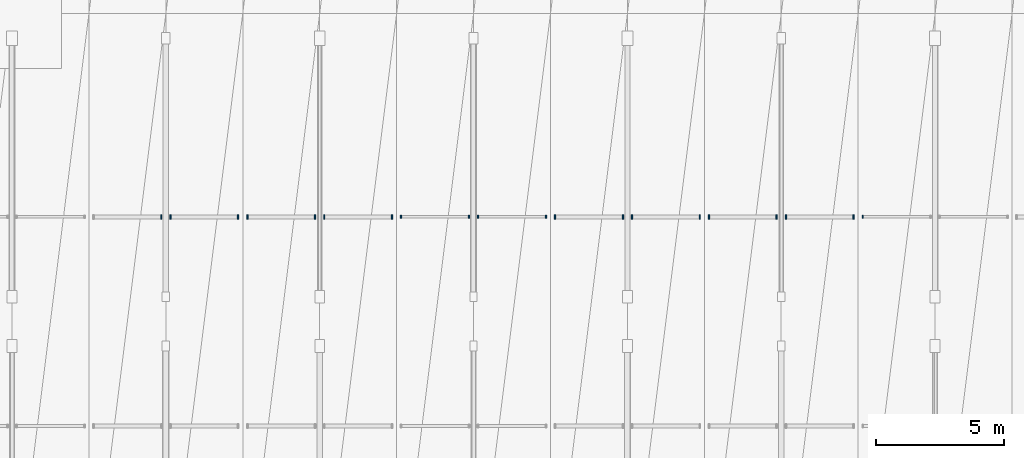
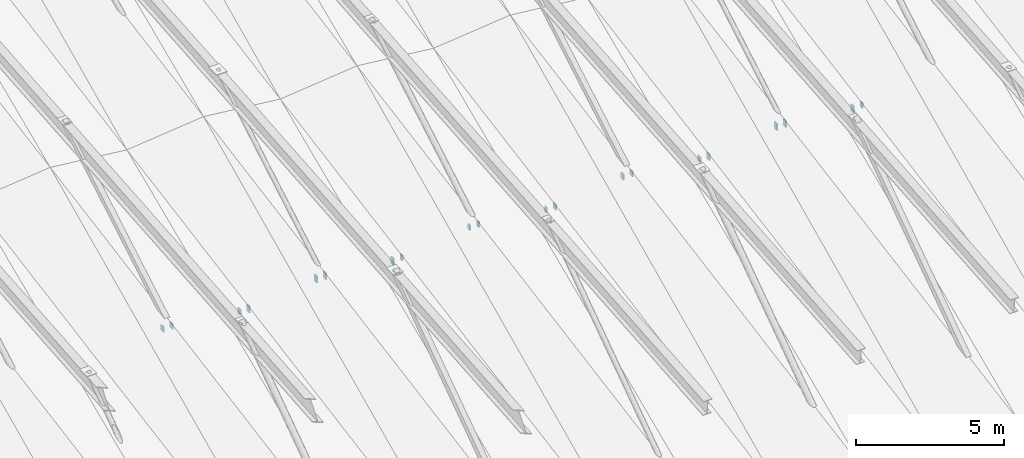
# One storey, part 38 of 52: 20 discrete accessories.
"""IFC4 building model written with IfcOpenShell, lengths in metres."""

from ifc_helpers import new_model, si_unit, direction, frame, origin, origin_2d, place, context, subcontext, project, spatial, rectangle, extrude, material, layer, layer_set, type_object, element, save


model = new_model("IFC4")

# Units and contexts
model_context = context("Model", 3, precision=1e-05, world=origin(), true_north=direction((0.0, 1.0)))
body_context = subcontext(model_context, "Body", "Model", "MODEL_VIEW")
ifc_project = project(units=[si_unit("LENGTHUNIT", "METRE"), si_unit("AREAUNIT", "SQUARE_METRE"), si_unit("VOLUMEUNIT", "CUBIC_METRE"), si_unit("PLANEANGLEUNIT", "RADIAN"), si_unit("MASSUNIT", "GRAM", prefix="KILO")], contexts=[model_context])

# Site, building, storey
site_placement = place(None, origin())
site = spatial("IfcSite", under=ifc_project, at=site_placement, CompositionType="ELEMENT")
building_placement = place(site_placement, origin())
building = spatial("IfcBuilding", under=site, at=building_placement, Name="Vaelkrest Opera House", CompositionType="ELEMENT")
storey_placement = place(building_placement, frame((0.0, 0.0, 41.39990234375)))
storey = spatial("IfcBuildingStorey", under=building, at=storey_placement, Name="ROOF", CompositionType="ELEMENT", Elevation=41.39990234375)

# Discrete accessories
ifc_material = material(Name="Steel A572 Gr50", Category="steel")
ifc_layer = layer(ifc_material, 0.320068359375)
ifc_layer_set = layer_set([ifc_layer], Name="Steel A572 Gr50")
discrete_accessory_type = type_object("IfcDiscreteAccessoryType", Name="ECP01", PredefinedType="USERDEFINED", material=ifc_layer_set)
for number, where, z_axis, x_axis, name in (
    (1, (-21.177490234375, -39.719970703125, -13.4912109375), (0.0, 0.0, 1.0), (1.0, 0.0, 0.0), "Purlin HSS end cap plate V1-02-S1-67-W1"),
    (2, (-20.822509765625, -39.719970703125, -13.4912109375), (0.0, 0.0, 1.0), (1.0, 0.0, 0.0), "Purlin HSS end cap plate V1-02-S1-67-E0"),
    (3, (-18.177490234375, -39.719970703125, -13.8154296875), (0.0, 0.0, 1.0), (1.0, 0.0, 0.0), "Purlin HSS end cap plate V1-02-S1-67-E1"),
):
    element("IfcDiscreteAccessory", number, at=place(storey_placement, frame(where, z_axis=z_axis, x_axis=x_axis)), inside=storey, type_object=discrete_accessory_type, Name=name, ObjectType="CAP PLATE", PredefinedType="USERDEFINED", context=body_context, shape_type="SweptSolid", body=[
        extrude(rectangle(XDim=0.054931640625, YDim=0.176025390625, at=origin_2d()), origin(), (0.0, 0.0, 1.0), 0.218994140625),
    ])
for number, where, z_axis, x_axis, name in (
    (4, (-17.822509765625, -39.719970703125, -13.865966796875), (0.0, 0.0, 1.0), (1.0, 0.0, 0.0), "Purlin HSS end cap plate V1-03-S1-67-W0"),
    (5, (-15.177490234375, -39.719970703125, -13.5419921875), (0.0, 0.0, 1.0), (1.0, 0.0, 0.0), "Purlin HSS end cap plate V1-03-S1-67-W1"),
    (6, (-14.822509765625, -39.719970703125, -13.5419921875), (0.0, 0.0, 1.0), (1.0, 0.0, 0.0), "Purlin HSS end cap plate V1-03-S1-67-E0"),
    (7, (-12.177490234375, -39.719970703125, -13.865966796875), (0.0, 0.0, 1.0), (1.0, 0.0, 0.0), "Purlin HSS end cap plate V1-03-S1-67-E1"),
):
    element("IfcDiscreteAccessory", number, at=place(storey_placement, frame(where, z_axis=z_axis, x_axis=x_axis)), inside=storey, type_object=discrete_accessory_type, Name=name, ObjectType="CAP PLATE", PredefinedType="USERDEFINED", context=body_context, shape_type="SweptSolid", body=[
        extrude(rectangle(XDim=0.054931640625, YDim=0.176025390625, at=origin_2d()), origin(), (0.0, 0.0, 1.0), 0.27001953125),
    ])
for number, where, z_axis, x_axis, name in (
    (8, (-11.822509765625, -39.719970703125, -13.8154296875), (0.0, 0.0, 1.0), (1.0, 0.0, 0.0), "Purlin HSS end cap plate V1-04-S1-67-W0"),
    (9, (-9.177490234375, -39.719970703125, -13.4912109375), (0.0, 0.0, 1.0), (1.0, 0.0, 0.0), "Purlin HSS end cap plate V1-04-S1-67-W1"),
    (10, (-8.822509765625, -39.719970703125, -13.4912109375), (0.0, 0.0, 1.0), (1.0, 0.0, 0.0), "Purlin HSS end cap plate V1-04-S1-67-E0"),
    (11, (-6.177490234375, -39.719970703125, -13.8154296875), (0.0, 0.0, 1.0), (1.0, 0.0, 0.0), "Purlin HSS end cap plate V1-04-S1-67-E1"),
):
    element("IfcDiscreteAccessory", number, at=place(storey_placement, frame(where, z_axis=z_axis, x_axis=x_axis)), inside=storey, type_object=discrete_accessory_type, Name=name, ObjectType="CAP PLATE", PredefinedType="USERDEFINED", context=body_context, shape_type="SweptSolid", body=[
        extrude(rectangle(XDim=0.054931640625, YDim=0.1259765625, at=origin_2d()), origin(), (0.0, 0.0, 1.0), 0.218994140625),
    ])
for number, where, z_axis, x_axis, name in (
    (12, (-5.822509765625, -39.719970703125, -13.8154296875), (0.0, 0.0, 1.0), (1.0, 0.0, 0.0), "Purlin HSS end cap plate V1-05-S1-67-W0"),
    (13, (-3.177490234375, -39.719970703125, -13.4912109375), (0.0, 0.0, 1.0), (1.0, 0.0, 0.0), "Purlin HSS end cap plate V1-05-S1-67-W1"),
    (14, (-2.822509765625, -39.719970703125, -13.4912109375), (0.0, 0.0, 1.0), (1.0, 0.0, 0.0), "Purlin HSS end cap plate V1-05-S1-67-E0"),
    (15, (-0.177490234375, -39.719970703125, -13.8154296875), (0.0, 0.0, 1.0), (1.0, 0.0, 0.0), "Purlin HSS end cap plate V1-05-S1-67-E1"),
):
    element("IfcDiscreteAccessory", number, at=place(storey_placement, frame(where, z_axis=z_axis, x_axis=x_axis)), inside=storey, type_object=discrete_accessory_type, Name=name, ObjectType="CAP PLATE", PredefinedType="USERDEFINED", context=body_context, shape_type="SweptSolid", body=[
        extrude(rectangle(XDim=0.054931640625, YDim=0.176025390625, at=origin_2d()), origin(), (0.0, 0.0, 1.0), 0.218994140625),
    ])
for number, where, z_axis, x_axis, name in (
    (16, (0.177490234375, -39.719970703125, -13.865966796875), (0.0, 0.0, 1.0), (1.0, 0.0, 0.0), "Purlin HSS end cap plate V1-06-S1-67-W0"),
    (17, (2.822509765625, -39.719970703125, -13.5419921875), (0.0, 0.0, 1.0), (1.0, 0.0, 0.0), "Purlin HSS end cap plate V1-06-S1-67-W1"),
    (18, (3.177490234375, -39.719970703125, -13.5419921875), (0.0, 0.0, 1.0), (1.0, 0.0, 0.0), "Purlin HSS end cap plate V1-06-S1-67-E0"),
    (19, (5.822509765625, -39.719970703125, -13.865966796875), (0.0, 0.0, 1.0), (1.0, 0.0, 0.0), "Purlin HSS end cap plate V1-06-S1-67-E1"),
):
    element("IfcDiscreteAccessory", number, at=place(storey_placement, frame(where, z_axis=z_axis, x_axis=x_axis)), inside=storey, type_object=discrete_accessory_type, Name=name, ObjectType="CAP PLATE", PredefinedType="USERDEFINED", context=body_context, shape_type="SweptSolid", body=[
        extrude(rectangle(XDim=0.054931640625, YDim=0.176025390625, at=origin_2d()), origin(), (0.0, 0.0, 1.0), 0.27001953125),
    ])
discrete_accessory_placement = place(storey_placement, frame((6.177490234375, -39.719970703125, -13.8154296875), z_axis=(0.0, 0.0, 1.0), x_axis=(1.0, 0.0, 0.0)))
element("IfcDiscreteAccessory", 20, at=discrete_accessory_placement, inside=storey, type_object=discrete_accessory_type, Name="Purlin HSS end cap plate V1-07-S1-67-W0", ObjectType="CAP PLATE", PredefinedType="USERDEFINED", context=body_context, shape_type="SweptSolid", body=[
    extrude(rectangle(XDim=0.054931640625, YDim=0.1259765625, at=origin_2d()), origin(), (0.0, 0.0, 1.0), 0.218994140625),
])

save(model, "model.ifc")
